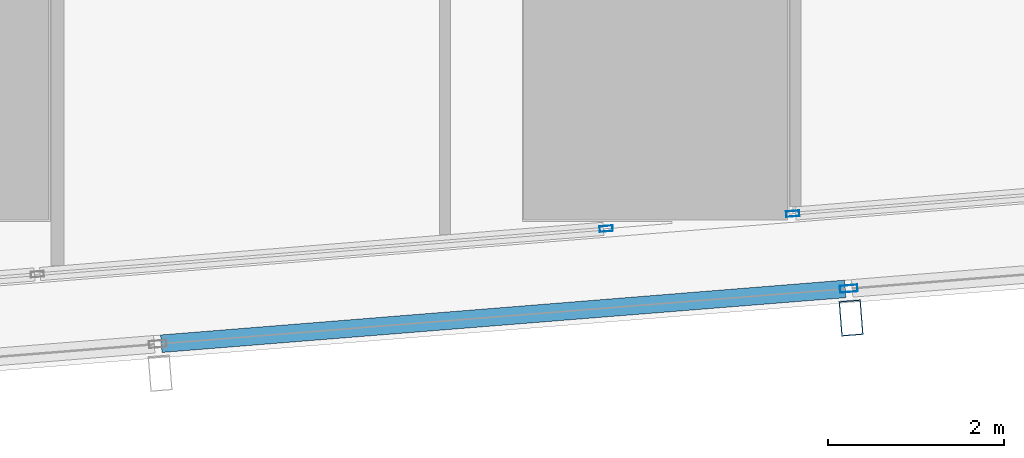
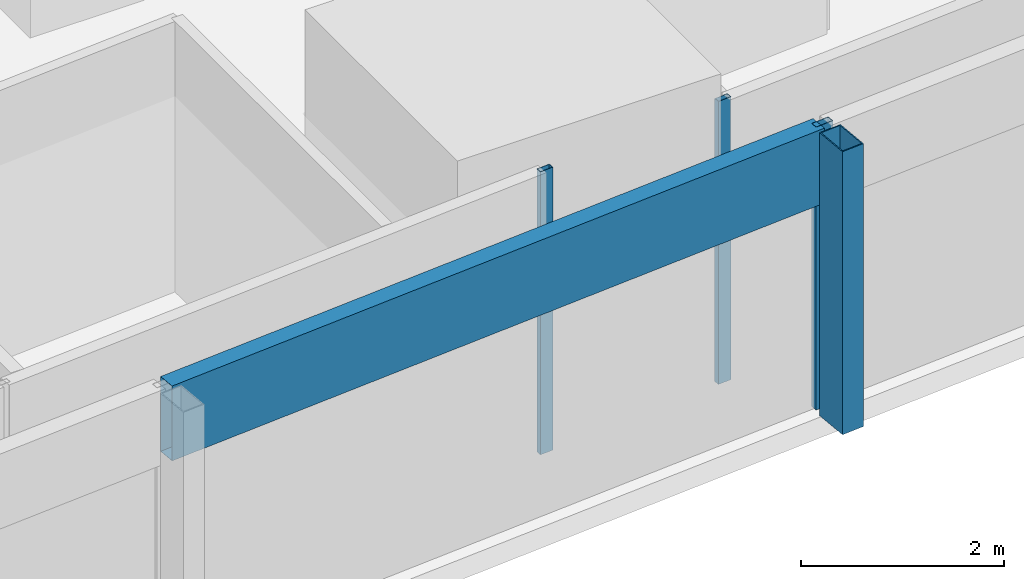
# One storey, part 11 of 44: 5 members, 3 elements without a shape of their own.
"""IFC4 building model written with IfcOpenShell, lengths in metres."""

from ifc_helpers import new_model, si_unit, direction, frame, origin, origin_2d, place, context, subcontext, project, spatial, hollow_rectangle, extrude, material, material_profile, profile_set, type_object, element, aggregate, save


model = new_model("IFC4")

# Units and contexts
model_context = context("Model", 3, precision=1e-05, world=origin(), true_north=direction((0.0, 1.0)))
body_context = subcontext(model_context, "Body", "Model", "MODEL_VIEW")
ifc_project = project(units=[si_unit("LENGTHUNIT", "METRE"), si_unit("AREAUNIT", "SQUARE_METRE"), si_unit("VOLUMEUNIT", "CUBIC_METRE"), si_unit("PLANEANGLEUNIT", "RADIAN"), si_unit("MASSUNIT", "GRAM", prefix="KILO")], contexts=[model_context])

# Site, building, storey
site_placement = place(None, origin())
site = spatial("IfcSite", under=ifc_project, at=site_placement, CompositionType="ELEMENT")
building_placement = place(site_placement, origin())
building = spatial("IfcBuilding", under=site, at=building_placement, Name="Rekha Terrace Tower", CompositionType="ELEMENT")
storey_placement = place(building_placement, frame((0.0, 0.0, 81.64990234375)))
storey = spatial("IfcBuildingStorey", under=building, at=storey_placement, Name="L20", CompositionType="ELEMENT", Elevation=81.64990234375)

# Curtain wall, member
ifc_material_1 = material(Name="Aluminium framing", Category="aluminium")
curtain_wall_type_1 = type_object("IfcCurtainWallType", Name="CW2 double skin outer glazing", PredefinedType="USERDEFINED", material=ifc_material_1)
curtain_wall_1_placement = place(storey_placement, origin())
curtain_wall_1 = element("IfcCurtainWall", 1, at=curtain_wall_1_placement, inside=storey, type_object=curtain_wall_type_1, Name="CW2 double skin outer glazing", ObjectType="DOUBLE SKIN OUTER GLAZING", PredefinedType="USERDEFINED")
ifc_material_2 = material(Name="Steel S355 with fluorocarbon finish", Category="steel")
ifc_material_profile_1 = material_profile(ifc_material_2, hollow_rectangle(XDim=0.25, YDim=0.39990234375, WallThickness=0.012451171875, at=origin_2d()), Name="RHS400x250x12.5")
ifc_profile_set_1 = profile_set([ifc_material_profile_1], Name="Steel S355 with fluorocarbon finish")
member_type_1 = type_object("IfcMemberType", Name="BL1 facade blade RHS 400 x 250", PredefinedType="USERDEFINED", material=ifc_profile_set_1)
member_1_placement = place(storey_placement, frame((61.022705078125, 5.78515625, 0.0), z_axis=(0.0, 0.0, 1.0), x_axis=(0.996805139821, 0.079871855039, 0.0)))
member_1 = element("IfcMember", 2, at=member_1_placement, type_object=member_type_1, Name="Facade blade", ObjectType="FACADE BLADE", PredefinedType="USERDEFINED", context=body_context, shape_type="SweptSolid", body=[
    extrude(hollow_rectangle(XDim=0.25, YDim=0.39990234375, WallThickness=0.012451171875, at=origin_2d()), origin(), (0.0, 0.0, 1.0), 3.400146484375),
])

curtain_wall_type_2 = type_object("IfcCurtainWallType", Name="CW1 double skin inner glazing", PredefinedType="USERDEFINED", material=ifc_material_1)
curtain_wall_2_placement = place(storey_placement, origin())
curtain_wall_2 = element("IfcCurtainWall", 3, at=curtain_wall_2_placement, inside=storey, type_object=curtain_wall_type_2, Name="CW1 double skin inner glazing", ObjectType="DOUBLE SKIN INNER GLAZING", PredefinedType="USERDEFINED")
ifc_material_3 = material(Name="Aluminium mullion section", Category="aluminium")
ifc_material_profile_2 = material_profile(ifc_material_3, hollow_rectangle(XDim=0.06494140625, YDim=0.14990234375, WallThickness=0.00390625, at=origin_2d()), Name="AL RHS 65x150")
ifc_profile_set_2 = profile_set([ifc_material_profile_2], Name="Aluminium mullion section")
member_type_2 = type_object("IfcMemberType", Name="CW1 mullion RHS 65 x 150", PredefinedType="MULLION", material=ifc_profile_set_2)
member_2_placement = place(storey_placement, frame((58.23876953125, 6.801025390625, 0.0), z_axis=(0.0, 0.0, 1.0), x_axis=(-0.079872204468, 0.996805111821, 0.0)))
member_2 = element("IfcMember", 4, at=member_2_placement, type_object=member_type_2, Name="CW1 mullion 3", PredefinedType="MULLION", context=body_context, shape_type="SweptSolid", body=[
    extrude(hollow_rectangle(XDim=0.06494140625, YDim=0.14990234375, WallThickness=0.00390625, at=origin_2d()), origin(), (0.0, 0.0, 1.0), 3.400146484375),
])
aggregate(curtain_wall_2, [member_2])

curtain_wall_3_placement = place(storey_placement, origin())
curtain_wall_3 = element("IfcCurtainWall", 5, at=curtain_wall_3_placement, inside=storey, type_object=curtain_wall_type_2, Name="CW1 double skin inner glazing", ObjectType="DOUBLE SKIN INNER GLAZING", PredefinedType="USERDEFINED")
member_3_placement = place(storey_placement, frame((60.35986328125, 6.97119140625, 0.0), z_axis=(0.0, 0.0, 1.0), x_axis=(-0.079872204416, 0.996805111826, 0.0)))
member_3 = element("IfcMember", 6, at=member_3_placement, type_object=member_type_2, Name="CW1 mullion 1", PredefinedType="MULLION", context=body_context, shape_type="SweptSolid", body=[
    extrude(hollow_rectangle(XDim=0.06494140625, YDim=0.14990234375, WallThickness=0.00390625, at=origin_2d()), origin(), (0.0, 0.0, 1.0), 3.400146484375),
])
aggregate(curtain_wall_3, [member_3])

# Member
ifc_material_profile_3 = material_profile(ifc_material_3, hollow_rectangle(XDim=0.080078125, YDim=0.199951171875, WallThickness=0.00390625, at=origin_2d()), Name="AL RHS 80x200")
ifc_profile_set_3 = profile_set([ifc_material_profile_3], Name="Aluminium mullion section")
member_type_3 = type_object("IfcMemberType", Name="CW2 mullion RHS 80 x 200", PredefinedType="MULLION", material=ifc_profile_set_3)
member_4_placement = place(storey_placement, frame((60.99609375, 6.119140625, 0.0), z_axis=(0.0, 0.0, 1.0), x_axis=(-0.079872204468, 0.996805111821, 0.0)))
member_4 = element("IfcMember", 7, at=member_4_placement, type_object=member_type_3, Name="CW2 mullion 3", PredefinedType="MULLION", context=body_context, shape_type="SweptSolid", body=[
    extrude(hollow_rectangle(XDim=0.080078125, YDim=0.199951171875, WallThickness=0.00390625, at=origin_2d()), origin(), (0.0, 0.0, 1.0), 3.400146484375),
])

ifc_material_4 = material(Name="Insulated aluminium spandrel box", Category="aluminium")
ifc_material_profile_4 = material_profile(ifc_material_4, hollow_rectangle(XDim=0.199951171875, YDim=0.89990234375, WallThickness=0.0029296875, at=origin_2d()), Name="AL SPANDREL BOX 200x900")
ifc_profile_set_4 = profile_set([ifc_material_profile_4], Name="Insulated aluminium spandrel box")
member_type_4 = type_object("IfcMemberType", Name="CW2 spandrel transom 200 x 900", PredefinedType="USERDEFINED", material=ifc_profile_set_4)
member_5_placement = place(storey_placement, frame((53.1806640625, 5.492919921875, 2.9501953125), z_axis=(0.996804920132, 0.079874596715, 0.0), x_axis=(-0.079874596715, 0.996804920132, 0.0)))
member_5 = element("IfcMember", 8, at=member_5_placement, type_object=member_type_4, Name="CW2 spandrel transom 2", ObjectType="TRANSOM", PredefinedType="USERDEFINED", context=body_context, shape_type="SweptSolid", body=[
    extrude(hollow_rectangle(XDim=0.199951171875, YDim=0.89990234375, WallThickness=0.0029296875, at=origin_2d()), origin(), (0.0, 0.0, 1.0), 7.80029296875),
])

aggregate(curtain_wall_1, [member_4, member_5, member_1])

save(model, "model.ifc")
